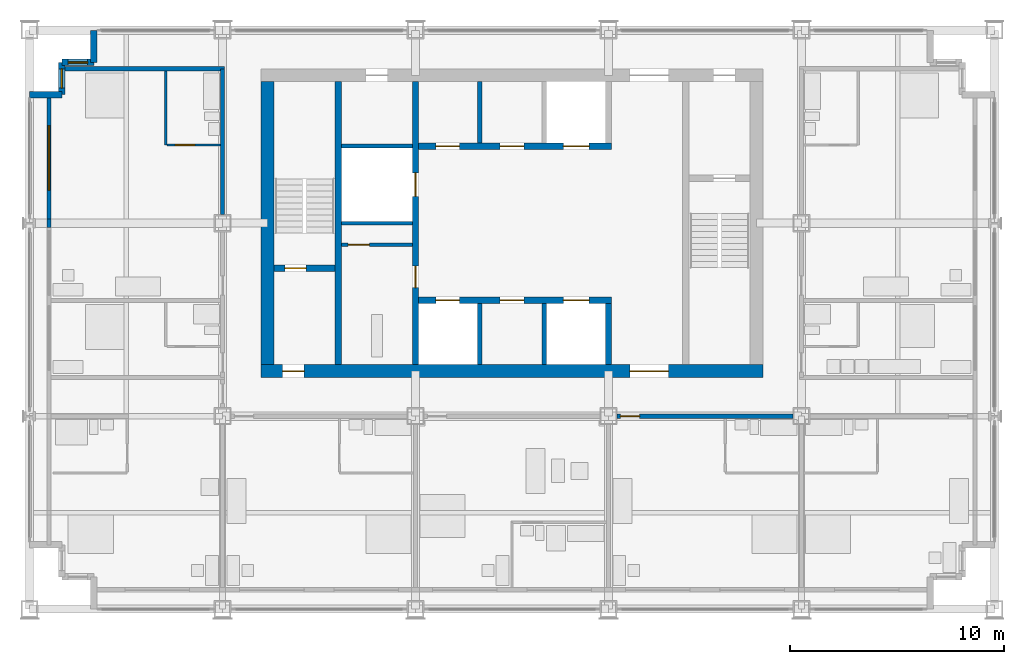
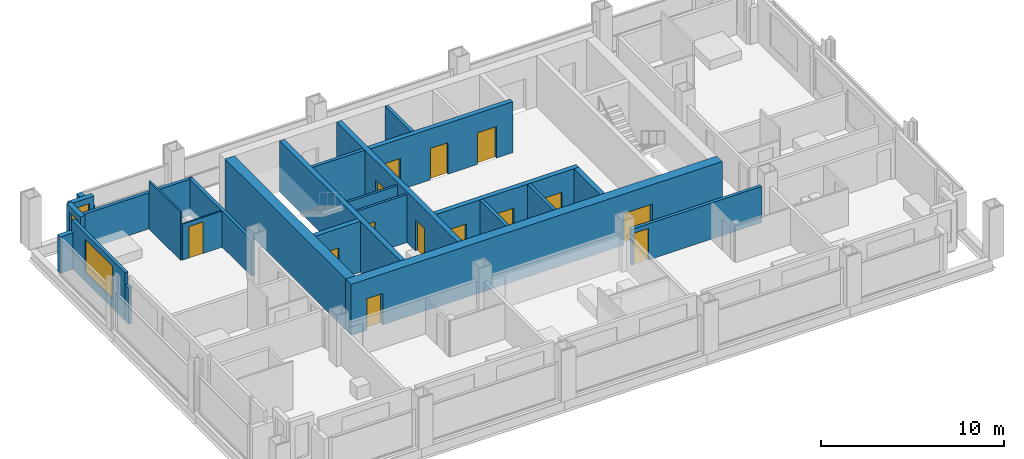
# One storey, part 8 of 13: 25 walls, 14 doors, 3 windows, 17 openings.
"""IFC4 building model written with IfcOpenShell, lengths in metres."""

import ifcopenshell
import ifcopenshell.guid

model = None  # the IFC model being written
_history = None  # IfcOwnerHistory: only IFC2X3 demands one
_inside = {}  # id of a spatial element -> (the spatial element, [elements in it])
_under = {}  # id of a project, library or spatial element -> (it, [spatial elements below it])
_declared = {}  # id of a project -> (the project, [libraries it declares])
_typed = {}  # id of a type object -> (the type object, [elements of that type])
_made_of = {}  # id of a material, layer set ... -> (it, [elements and type objects made of it])


def new_model(schema):
    """Start an empty IFC model of exactly this schema.

    Asked for "IFC4X3", IfcOpenShell would pick the latest addendum, in which some entities
    have other attributes; the version numbers below select the first issue.
    IFC2X3 requires an IfcOwnerHistory on every rooted entity: one is made here for all.
    """
    global model, _history
    if schema == "IFC4X3":
        model = ifcopenshell.file(schema_version=(4, 3, 0, 0))
    else:
        model = ifcopenshell.file(schema=schema)
    _inside.clear()
    _under.clear()
    _declared.clear()
    _typed.clear()
    _made_of.clear()
    _history = None
    if model.schema == "IFC2X3":
        org = make("IfcOrganization", Name="unknown")
        user = make(
            "IfcPersonAndOrganization",
            ThePerson=make("IfcPerson", FamilyName="unknown"),
            TheOrganization=org,
        )
        app = make(
            "IfcApplication",
            ApplicationDeveloper=org,
            Version="unknown",
            ApplicationFullName="unknown",
            ApplicationIdentifier="unknown",
        )
        _history = make(
            "IfcOwnerHistory",
            OwningUser=user,
            OwningApplication=app,
            ChangeAction="ADDED",
            CreationDate=0,
        )
    return model


def make(cls, **values):
    """One entity of the class cls with the attributes given. An attribute that is None is left unset."""
    return model.create_entity(
        cls, **{name: value for name, value in values.items() if value is not None}
    )


def rooted(cls, **values):
    """An entity with a GlobalId (a new one), such as an element, a storey or a relation."""
    return make(cls, GlobalId=ifcopenshell.guid.new(), OwnerHistory=_history, **values)


def si_unit(unit_type, name, prefix=None):
    """IfcSIUnit, for example si_unit("LENGTHUNIT", "METRE", prefix="MILLI")."""
    return make("IfcSIUnit", UnitType=unit_type, Prefix=prefix, Name=name)


def assignment(units):
    """IfcUnitAssignment: the units of a project."""
    return None if units is None else make("IfcUnitAssignment", Units=units)


def point(xyz):
    """IfcCartesianPoint."""
    return None if xyz is None else make("IfcCartesianPoint", Coordinates=xyz)


def direction(xyz):
    """IfcDirection."""
    return None if xyz is None else make("IfcDirection", DirectionRatios=xyz)


def frame(location, z_axis=None, x_axis=None):
    """IfcAxis2Placement3D, a coordinate frame: its origin and axes. An axis left out is left unset."""
    return make(
        "IfcAxis2Placement3D",
        Location=point(location),
        Axis=direction(z_axis),
        RefDirection=direction(x_axis),
    )


def frame_2d(location, x_axis=None):
    """IfcAxis2Placement2D, a coordinate frame in the plane: its origin and x axis."""
    return make(
        "IfcAxis2Placement2D", Location=point(location), RefDirection=direction(x_axis)
    )


def origin():
    """The frame at (0, 0, 0) with its axes left unset."""
    return frame((0.0, 0.0, 0.0))


def place(relative_to, where):
    """IfcLocalPlacement: puts the frame where relative to a parent placement (None: the world)."""
    return make(
        "IfcLocalPlacement", PlacementRelTo=relative_to, RelativePlacement=where
    )


def context(
    kind, dimensions, precision=None, world=None, true_north=None, identifier=None
):
    """IfcGeometricRepresentationContext, for example the 3D "Model" context."""
    return make(
        "IfcGeometricRepresentationContext",
        ContextIdentifier=identifier,
        ContextType=kind,
        CoordinateSpaceDimension=dimensions,
        Precision=precision,
        WorldCoordinateSystem=world,
        TrueNorth=true_north,
    )


def subcontext(parent, identifier, kind, view, scale=None):
    """IfcGeometricRepresentationSubContext, for example "Body" below "Model"."""
    return make(
        "IfcGeometricRepresentationSubContext",
        ContextIdentifier=identifier,
        ContextType=kind,
        ParentContext=parent,
        TargetScale=scale,
        TargetView=view,
    )


def project(units=None, contexts=None):
    """IfcProject with its units and contexts."""
    return rooted(
        "IfcProject",
        Name="project",
        RepresentationContexts=contexts,
        UnitsInContext=assignment(units),
    )


def spatial(cls, under=None, at=None, **own):
    """A site, building, storey or space (cls), placed at a placement, below another one or the project."""
    s = rooted(cls, ObjectPlacement=at, **own)
    if under is not None:
        _under.setdefault(under.id(), (under, []))[1].append(s)
    return s


def profile(cls, at=None, kind="AREA", **sizes):
    """A parametric profile (cls). Its sizes go by their IFC names, for example OverallWidth=200.0."""
    return make(cls, ProfileType=kind, Position=at, **sizes)


def rectangle(**sizes):
    """IfcRectangleProfileDef."""
    return profile("IfcRectangleProfileDef", **sizes)


def extrude(swept, where, along, depth):
    """IfcExtrudedAreaSolid: the profile swept, set in the frame where, extruded along a direction by depth."""
    return make(
        "IfcExtrudedAreaSolid",
        SweptArea=swept,
        Position=where,
        ExtrudedDirection=direction(along),
        Depth=depth,
    )


def shape(context_of_items, identifier, shape_type, items):
    """IfcShapeRepresentation: the items that make up one representation, for example the "Body"."""
    return make(
        "IfcShapeRepresentation",
        ContextOfItems=context_of_items,
        RepresentationIdentifier=identifier,
        RepresentationType=shape_type,
        Items=items,
    )


def material(Name=None, Category=None):
    """IfcMaterial."""
    return make("IfcMaterial", Name=Name, Category=Category)


def layer(
    of_material, thickness, ventilated=None, Name=None, Category=None, Priority=None
):
    """IfcMaterialLayer: one layer of a wall or slab, of a material (None: an air gap)."""
    return make(
        "IfcMaterialLayer",
        Material=of_material,
        LayerThickness=thickness,
        IsVentilated=ventilated,
        Name=Name,
        Category=Category,
        Priority=Priority,
    )


def layer_set(layers, Name=None):
    """IfcMaterialLayerSet."""
    return make("IfcMaterialLayerSet", MaterialLayers=layers, LayerSetName=Name)


def made_of(thing, what):
    """Note that an element or type object is made of a material, layer set ...; save() writes the relation."""
    if what is not None:
        _made_of.setdefault(what.id(), (what, []))[1].append(thing)
    return thing


def type_object(cls, material=None, **own):
    """A type object (cls), such as IfcWallType, which elements share."""
    return made_of(rooted(cls, **own), material)


def element(
    cls,
    number,
    at=None,
    inside=None,
    cuts=None,
    type_object=None,
    material=None,
    context=None,
    identifier="Body",
    shape_type=None,
    held_by="IfcProductDefinitionShape",
    body=None,
    shapes=None,
    **own,
):
    """One element of the class cls, such as IfcWall. Its Tag is "e" and its number.

    at: its placement. inside: the storey or other place that contains it. cuts: it is an
    opening in that element (IfcRelVoidsElement). A single representation is given by context,
    identifier, shape_type and body (its items); several are given by shapes. held_by: the class
    of the entity that holds the representations. save() writes the other relations.
    """
    e = rooted(cls, Tag="e%d" % number, ObjectPlacement=at, **own)
    if body is not None:
        shapes = [shape(context, identifier, shape_type, body)]
    if shapes is not None:
        e.Representation = make(held_by, Representations=shapes)
    if inside is not None:
        _inside.setdefault(inside.id(), (inside, []))[1].append(e)
    if cuts is not None:
        rooted(
            "IfcRelVoidsElement", RelatingBuildingElement=cuts, RelatedOpeningElement=e
        )
    if type_object is not None:
        _typed.setdefault(type_object.id(), (type_object, []))[1].append(e)
    return made_of(e, material)


def fill(opening, filler):
    """IfcRelFillsElement: the door or window that sits in an opening."""
    return rooted(
        "IfcRelFillsElement",
        RelatingOpeningElement=opening,
        RelatedBuildingElement=filler,
    )


def aggregate(whole, parts):
    """IfcRelAggregates: a whole, such as a stair, and the parts it consists of."""
    return rooted("IfcRelAggregates", RelatingObject=whole, RelatedObjects=parts)


def save(model, path):
    """Write the relations noted so far, then the file.

    IfcRelAggregates (storeys below a building ...), IfcRelContainedInSpatialStructure (elements
    in a storey), IfcRelDefinesByType, IfcRelAssociatesMaterial and IfcRelDeclares: one each for
    every whole, place, type object, material and project.
    """
    for whole, parts in _under.values():
        aggregate(whole, parts)
    for where, things in _inside.values():
        rooted(
            "IfcRelContainedInSpatialStructure",
            RelatedElements=things,
            RelatingStructure=where,
        )
    for kind, things in _typed.values():
        rooted("IfcRelDefinesByType", RelatedObjects=things, RelatingType=kind)
    for what, things in _made_of.values():
        rooted("IfcRelAssociatesMaterial", RelatedObjects=things, RelatingMaterial=what)
    for by, libraries in _declared.values():
        rooted("IfcRelDeclares", RelatingContext=by, RelatedDefinitions=libraries)
    model.write(path)


model = new_model("IFC4")

# Units and contexts
model_context = context("Model", 3, precision=1e-05, world=origin(), true_north=direction((0.0, 1.0)))
body_context = subcontext(model_context, "Body", "Model", "MODEL_VIEW")
ifc_project = project(units=[si_unit("LENGTHUNIT", "METRE"), si_unit("AREAUNIT", "SQUARE_METRE"), si_unit("VOLUMEUNIT", "CUBIC_METRE"), si_unit("PLANEANGLEUNIT", "RADIAN"), si_unit("MASSUNIT", "GRAM", prefix="KILO")], contexts=[model_context])

# Site, building, storey
site_placement = place(None, origin())
site = spatial("IfcSite", under=ifc_project, at=site_placement, CompositionType="ELEMENT")
building_placement = place(site_placement, origin())
building = spatial("IfcBuilding", under=site, at=building_placement, Name="Loomwork Tower", CompositionType="ELEMENT")
storey_placement = place(building_placement, frame((0.0, 0.0, 174.0)))
storey = spatial("IfcBuildingStorey", under=building, at=storey_placement, Name="L47", CompositionType="ELEMENT", Elevation=174.0)

# Wall
ifc_material_1 = material(Name="Concrete 14000 psi (97 MPa)", Category="concrete")
ifc_layer_1 = layer(ifc_material_1, 0.300048828125)
ifc_layer_set_1 = layer_set([ifc_layer_1], Name="Core shear wall 300")
wall_type_1 = type_object("IfcWallType", Name="Core shear wall 300", PredefinedType="SHEAR", material=ifc_layer_set_1)
wall_1_placement = place(storey_placement, frame((14.39990234375, 11.39990234375, 0.0), z_axis=(0.0, 0.0, 1.0), x_axis=(0.0, 1.0, 0.0)))
element("IfcWall", 1, at=wall_1_placement, inside=storey, type_object=wall_type_1, Name="Stair A east wall L47", PredefinedType="SHEAR", context=body_context, shape_type="SweptSolid", body=[
    extrude(rectangle(XDim=13.2001953125, YDim=0.300048828125, at=frame_2d((6.60009765625, 0.0))), origin(), (0.0, 0.0, 1.0), 3.39990234375),
])

# Wall, opening, door
wall_2_placement = place(storey_placement, frame((11.39990234375, 15.89990234375, 0.0), z_axis=(0.0, 0.0, 1.0), x_axis=(1.0, 0.0, 0.0)))
wall_2 = element("IfcWall", 2, at=wall_2_placement, inside=storey, type_object=wall_type_1, Name="Stair A south wall L47", PredefinedType="SHEAR", context=body_context, shape_type="SweptSolid", body=[
    extrude(rectangle(XDim=2.85009765625, YDim=0.300048828125, at=frame_2d((1.425048828125, 0.0))), origin(), (0.0, 0.0, 1.0), 3.39990234375),
])
opening_1_placement = place(wall_2_placement, frame((0.5, 0.0, 0.0)))
opening_1 = element("IfcOpeningElement", 3, at=opening_1_placement, cuts=wall_2, Name="Opening D4", PredefinedType="OPENING", context=body_context, shape_type="SweptSolid", body=[
    extrude(rectangle(XDim=1.0, YDim=2.10009765625, at=frame_2d((0.5, 1.050048828125))), frame((0.0, 0.159912109375, 0.0), z_axis=(0.0, -1.0, 0.0), x_axis=(1.0, 0.0, 0.0)), (0.0, 0.0, 1.0), 0.320068359375),
])
ifc_material_2 = material(Name="Hollow metal door and frame")
door_type_1 = type_object("IfcDoorType", Name="Stair door 1000", OperationType="SINGLE_SWING_RIGHT", PredefinedType="DOOR", material=ifc_material_2)
door_1_placement = place(opening_1_placement, origin())
door_1 = element("IfcDoor", 4, at=door_1_placement, inside=storey, type_object=door_type_1, Name="Stair A door", OperationType="SINGLE_SWING_LEFT", OverallHeight=2.10009765625, OverallWidth=1.0, PredefinedType="DOOR", context=body_context, shape_type="SweptSolid", body=[
    extrude(rectangle(XDim=1.0, YDim=2.10009765625, at=frame_2d((0.5, 1.050048828125))), frame((0.0, 0.02490234375, 0.0), z_axis=(0.0, -1.0, 0.0), x_axis=(1.0, 0.0, 0.0)), (0.0, 0.0, 1.0), 0.050048828125),
])
fill(opening_1, door_1)

# Wall, openings, doors
wall_3_placement = place(storey_placement, frame((18.0, 11.39990234375, 0.0), z_axis=(0.0, 0.0, 1.0), x_axis=(0.0, 1.0, 0.0)))
wall_3 = element("IfcWall", 5, at=wall_3_placement, inside=storey, type_object=wall_type_1, Name="Lobby west wall L47", PredefinedType="SHEAR", context=body_context, shape_type="SweptSolid", body=[
    extrude(rectangle(XDim=13.2001953125, YDim=0.300048828125, at=frame_2d((6.60009765625, 0.0))), origin(), (0.0, 0.0, 1.0), 3.39990234375),
])
opening_2_placement = place(wall_3_placement, frame((3.60009765625, 0.0, 0.0)))
opening_2 = element("IfcOpeningElement", 6, at=opening_2_placement, cuts=wall_3, Name="Opening D5", PredefinedType="OPENING", context=body_context, shape_type="SweptSolid", body=[
    extrude(rectangle(XDim=1.0, YDim=2.10009765625, at=frame_2d((0.5, 1.050048828125))), frame((0.0, 0.159912109375, 0.0), z_axis=(0.0, -1.0, 0.0), x_axis=(1.0, 0.0, 0.0)), (0.0, 0.0, 1.0), 0.320068359375),
])
opening_3_placement = place(wall_3_placement, frame((7.85009765625, 0.0, 0.0)))
opening_3 = element("IfcOpeningElement", 7, at=opening_3_placement, cuts=wall_3, Name="Opening LD1", PredefinedType="OPENING", context=body_context, shape_type="SweptSolid", body=[
    extrude(rectangle(XDim=1.10009765625, YDim=2.10009765625, at=frame_2d((0.550048828125, 1.050048828125))), frame((0.0, 0.159912109375, 0.0), z_axis=(0.0, -1.0, 0.0), x_axis=(1.0, 0.0, 0.0)), (0.0, 0.0, 1.0), 0.320068359375),
])
ifc_material_3 = material(Name="Hollow metal door and frame")
door_type_2 = type_object("IfcDoorType", Name="Lift landing door 1100", OperationType="SLIDING_TO_LEFT", PredefinedType="DOOR", material=ifc_material_3)
door_2_placement = place(opening_3_placement, origin())
door_2 = element("IfcDoor", 8, at=door_2_placement, inside=storey, type_object=door_type_2, Name="Lift landing door LC2", OperationType="SLIDING_TO_LEFT", OverallHeight=2.10009765625, OverallWidth=1.10009765625, PredefinedType="DOOR", context=body_context, shape_type="SweptSolid", body=[
    extrude(rectangle(XDim=1.10009765625, YDim=2.10009765625, at=frame_2d((0.550048828125, 1.050048828125))), frame((0.0, 0.02490234375, 0.0), z_axis=(0.0, -1.0, 0.0), x_axis=(1.0, 0.0, 0.0)), (0.0, 0.0, 1.0), 0.050048828125),
])
fill(opening_3, door_2)
ifc_material_4 = material(Name="Hollow metal door and frame")
door_type_3 = type_object("IfcDoorType", Name="Service door 1000", OperationType="SINGLE_SWING_LEFT", PredefinedType="DOOR", material=ifc_material_4)
door_3_placement = place(opening_2_placement, origin())
door_3 = element("IfcDoor", 9, at=door_3_placement, inside=storey, type_object=door_type_3, Name="Back-of-house door south", OperationType="SINGLE_SWING_LEFT", OverallHeight=2.10009765625, OverallWidth=1.0, PredefinedType="DOOR", context=body_context, shape_type="SweptSolid", body=[
    extrude(rectangle(XDim=1.0, YDim=2.10009765625, at=frame_2d((0.5, 1.050048828125))), frame((0.0, 0.02490234375, 0.0), z_axis=(0.0, -1.0, 0.0), x_axis=(1.0, 0.0, 0.0)), (0.0, 0.0, 1.0), 0.050048828125),
])
fill(opening_2, door_3)

wall_4_placement = place(storey_placement, frame((18.14990234375, 14.39990234375, 0.0), z_axis=(0.0, 0.0, 1.0), x_axis=(1.0, 0.0, 0.0)))
wall_4 = element("IfcWall", 10, at=wall_4_placement, inside=storey, type_object=wall_type_1, Name="Lift front wall south L47", PredefinedType="SHEAR", context=body_context, shape_type="SweptSolid", body=[
    extrude(rectangle(XDim=9.0, YDim=0.300048828125, at=frame_2d((4.5, 0.0))), origin(), (0.0, 0.0, 1.0), 3.39990234375),
])
opening_4_placement = place(wall_4_placement, frame((0.800048828125, 0.0, 0.0)))
opening_4 = element("IfcOpeningElement", 11, at=opening_4_placement, cuts=wall_4, Name="Opening LD1", PredefinedType="OPENING", context=body_context, shape_type="SweptSolid", body=[
    extrude(rectangle(XDim=1.10009765625, YDim=2.10009765625, at=frame_2d((0.550048828125, 1.050048828125))), frame((0.0, 0.159912109375, 0.0), z_axis=(0.0, -1.0, 0.0), x_axis=(1.0, 0.0, 0.0)), (0.0, 0.0, 1.0), 0.320068359375),
])
opening_5_placement = place(wall_4_placement, frame((6.75, 0.0, 0.0)))
opening_5 = element("IfcOpeningElement", 12, at=opening_5_placement, cuts=wall_4, Name="Opening LD2", PredefinedType="OPENING", context=body_context, shape_type="SweptSolid", body=[
    extrude(rectangle(XDim=1.199951171875, YDim=2.10009765625, at=frame_2d((0.60009765625, 1.050048828125))), frame((0.0, 0.159912109375, 0.0), z_axis=(0.0, -1.0, 0.0), x_axis=(1.0, 0.0, 0.0)), (0.0, 0.0, 1.0), 0.320068359375),
])
opening_6_placement = place(wall_4_placement, frame((3.800048828125, 0.0, 0.0)))
opening_6 = element("IfcOpeningElement", 13, at=opening_6_placement, cuts=wall_4, Name="Opening D17", PredefinedType="OPENING", context=body_context, shape_type="SweptSolid", body=[
    extrude(rectangle(XDim=1.10009765625, YDim=2.10009765625, at=frame_2d((0.550048828125, 1.050048828125))), frame((0.0, 0.159912109375, 0.0), z_axis=(0.0, -1.0, 0.0), x_axis=(1.0, 0.0, 0.0)), (0.0, 0.0, 1.0), 0.320068359375),
])
door_4_placement = place(opening_4_placement, origin())
door_4 = element("IfcDoor", 14, at=door_4_placement, inside=storey, type_object=door_type_2, Name="Lift landing door LC1", OperationType="SLIDING_TO_LEFT", OverallHeight=2.10009765625, OverallWidth=1.10009765625, PredefinedType="DOOR", context=body_context, shape_type="SweptSolid", body=[
    extrude(rectangle(XDim=1.10009765625, YDim=2.10009765625, at=frame_2d((0.550048828125, 1.050048828125))), frame((0.0, 0.02490234375, 0.0), z_axis=(0.0, -1.0, 0.0), x_axis=(1.0, 0.0, 0.0)), (0.0, 0.0, 1.0), 0.050048828125),
])
fill(opening_4, door_4)
ifc_material_5 = material(Name="Hollow metal door and frame")
door_type_4 = type_object("IfcDoorType", Name="Lift landing door 1200", OperationType="SLIDING_TO_LEFT", PredefinedType="DOOR", material=ifc_material_5)
door_5_placement = place(opening_5_placement, origin())
door_5 = element("IfcDoor", 15, at=door_5_placement, inside=storey, type_object=door_type_4, Name="Lift landing door LF1", OperationType="SLIDING_TO_LEFT", OverallHeight=2.10009765625, OverallWidth=1.199951171875, PredefinedType="DOOR", context=body_context, shape_type="SweptSolid", body=[
    extrude(rectangle(XDim=1.199951171875, YDim=2.10009765625, at=frame_2d((0.60009765625, 1.050048828125))), frame((0.0, 0.02490234375, 0.0), z_axis=(0.0, -1.0, 0.0), x_axis=(1.0, 0.0, 0.0)), (0.0, 0.0, 1.0), 0.050048828125),
])
fill(opening_5, door_5)
ifc_material_6 = material(Name="Hollow metal door and frame")
door_type_5 = type_object("IfcDoorType", Name="Service room door 1100", OperationType="SINGLE_SWING_LEFT", PredefinedType="DOOR", material=ifc_material_6)
door_6_placement = place(opening_6_placement, frame((1.10009765625, 0.0, 0.0), z_axis=(0.0, 0.0, 1.0), x_axis=(-1.0, 0.0, 0.0)))
door_6 = element("IfcDoor", 16, at=door_6_placement, inside=storey, type_object=door_type_5, Name="Storage room door L47", OperationType="SINGLE_SWING_RIGHT", OverallHeight=2.10009765625, OverallWidth=1.10009765625, PredefinedType="DOOR", context=body_context, shape_type="SweptSolid", body=[
    extrude(rectangle(XDim=1.10009765625, YDim=2.10009765625, at=frame_2d((0.550048828125, 1.050048828125))), frame((0.0, 0.02490234375, 0.0), z_axis=(0.0, -1.0, 0.0), x_axis=(1.0, 0.0, 0.0)), (0.0, 0.0, 1.0), 0.050048828125),
])
fill(opening_6, door_6)

# Wall
wall_5_placement = place(storey_placement, frame((27.0, 11.39990234375, 0.0), z_axis=(0.0, 0.0, 1.0), x_axis=(0.0, 1.0, 0.0)))
element("IfcWall", 17, at=wall_5_placement, inside=storey, type_object=wall_type_1, Name="Lift shaft end wall south L47", PredefinedType="SHEAR", context=body_context, shape_type="SweptSolid", body=[
    extrude(rectangle(XDim=2.85009765625, YDim=0.300048828125, at=frame_2d((1.425048828125, 0.0))), origin(), (0.0, 0.0, 1.0), 3.39990234375),
])

# Wall, openings, doors
wall_6_placement = place(storey_placement, frame((18.14990234375, 21.60009765625, 0.0), z_axis=(0.0, 0.0, 1.0), x_axis=(1.0, 0.0, 0.0)))
wall_6 = element("IfcWall", 18, at=wall_6_placement, inside=storey, type_object=wall_type_1, Name="Lift front wall north L47", PredefinedType="SHEAR", context=body_context, shape_type="SweptSolid", body=[
    extrude(rectangle(XDim=9.0, YDim=0.300048828125, at=frame_2d((4.5, 0.0))), origin(), (0.0, 0.0, 1.0), 3.39990234375),
])
opening_7_placement = place(wall_6_placement, frame((6.75, 0.0, 0.0)))
opening_7 = element("IfcOpeningElement", 19, at=opening_7_placement, cuts=wall_6, Name="Opening LD2", PredefinedType="OPENING", context=body_context, shape_type="SweptSolid", body=[
    extrude(rectangle(XDim=1.199951171875, YDim=2.10009765625, at=frame_2d((0.60009765625, 1.050048828125))), frame((0.0, 0.159912109375, 0.0), z_axis=(0.0, -1.0, 0.0), x_axis=(1.0, 0.0, 0.0)), (0.0, 0.0, 1.0), 0.320068359375),
])
opening_8_placement = place(wall_6_placement, frame((0.800048828125, 0.0, 0.0)))
opening_8 = element("IfcOpeningElement", 20, at=opening_8_placement, cuts=wall_6, Name="Opening D17", PredefinedType="OPENING", context=body_context, shape_type="SweptSolid", body=[
    extrude(rectangle(XDim=1.10009765625, YDim=2.10009765625, at=frame_2d((0.550048828125, 1.050048828125))), frame((0.0, 0.159912109375, 0.0), z_axis=(0.0, -1.0, 0.0), x_axis=(1.0, 0.0, 0.0)), (0.0, 0.0, 1.0), 0.320068359375),
])
opening_9_placement = place(wall_6_placement, frame((3.800048828125, 0.0, 0.0)))
opening_9 = element("IfcOpeningElement", 21, at=opening_9_placement, cuts=wall_6, Name="Opening D17", PredefinedType="OPENING", context=body_context, shape_type="SweptSolid", body=[
    extrude(rectangle(XDim=1.10009765625, YDim=2.10009765625, at=frame_2d((0.550048828125, 1.050048828125))), frame((0.0, 0.159912109375, 0.0), z_axis=(0.0, -1.0, 0.0), x_axis=(1.0, 0.0, 0.0)), (0.0, 0.0, 1.0), 0.320068359375),
])
door_7_placement = place(opening_7_placement, origin())
door_7 = element("IfcDoor", 22, at=door_7_placement, inside=storey, type_object=door_type_4, Name="Lift landing door LF2", OperationType="SLIDING_TO_LEFT", OverallHeight=2.10009765625, OverallWidth=1.199951171875, PredefinedType="DOOR", context=body_context, shape_type="SweptSolid", body=[
    extrude(rectangle(XDim=1.199951171875, YDim=2.10009765625, at=frame_2d((0.60009765625, 1.050048828125))), frame((0.0, 0.02490234375, 0.0), z_axis=(0.0, -1.0, 0.0), x_axis=(1.0, 0.0, 0.0)), (0.0, 0.0, 1.0), 0.050048828125),
])
fill(opening_7, door_7)
door_8_placement = place(opening_8_placement, origin())
door_8 = element("IfcDoor", 23, at=door_8_placement, inside=storey, type_object=door_type_5, Name="IT and communications room door L47", OperationType="SINGLE_SWING_LEFT", OverallHeight=2.10009765625, OverallWidth=1.10009765625, PredefinedType="DOOR", context=body_context, shape_type="SweptSolid", body=[
    extrude(rectangle(XDim=1.10009765625, YDim=2.10009765625, at=frame_2d((0.550048828125, 1.050048828125))), frame((0.0, 0.02490234375, 0.0), z_axis=(0.0, -1.0, 0.0), x_axis=(1.0, 0.0, 0.0)), (0.0, 0.0, 1.0), 0.050048828125),
])
fill(opening_8, door_8)
door_9_placement = place(opening_9_placement, origin())
door_9 = element("IfcDoor", 24, at=door_9_placement, inside=storey, type_object=door_type_5, Name="Housekeeping store door L47", OperationType="SINGLE_SWING_LEFT", OverallHeight=2.10009765625, OverallWidth=1.10009765625, PredefinedType="DOOR", context=body_context, shape_type="SweptSolid", body=[
    extrude(rectangle(XDim=1.10009765625, YDim=2.10009765625, at=frame_2d((0.550048828125, 1.050048828125))), frame((0.0, 0.02490234375, 0.0), z_axis=(0.0, -1.0, 0.0), x_axis=(1.0, 0.0, 0.0)), (0.0, 0.0, 1.0), 0.050048828125),
])
fill(opening_9, door_9)

ifc_material_7 = material(Name="Concrete 14000 psi (97 MPa)", Category="concrete")
ifc_layer_2 = layer(ifc_material_7, 0.60009765625)
ifc_layer_set_2 = layer_set([ifc_layer_2], Name="Core shear wall 600")
wall_type_2 = type_object("IfcWallType", Name="Core shear wall 600", PredefinedType="SHEAR", material=ifc_layer_set_2)
wall_7_placement = place(storey_placement, frame((10.800048828125, 11.10009765625, 0.0), z_axis=(0.0, 0.0, 1.0), x_axis=(1.0, 0.0, 0.0)))
wall_7 = element("IfcWall", 25, at=wall_7_placement, inside=storey, type_object=wall_type_2, Name="Core wall south L47", PredefinedType="SHEAR", context=body_context, shape_type="SweptSolid", body=[
    extrude(rectangle(XDim=23.39990234375, YDim=0.60009765625, at=frame_2d((11.699951171875, 0.0))), origin(), (0.0, 0.0, 1.0), 3.39990234375),
])
opening_10_placement = place(wall_7_placement, frame((1.0, 0.0, 0.0)))
opening_10 = element("IfcOpeningElement", 26, at=opening_10_placement, cuts=wall_7, Name="Opening D4", PredefinedType="OPENING", context=body_context, shape_type="SweptSolid", body=[
    extrude(rectangle(XDim=1.0, YDim=2.10009765625, at=frame_2d((0.5, 1.050048828125))), frame((0.0, 0.31005859375, 0.0), z_axis=(0.0, -1.0, 0.0), x_axis=(1.0, 0.0, 0.0)), (0.0, 0.0, 1.0), 0.6201171875),
])
opening_11_placement = place(wall_7_placement, frame((17.199951171875, 0.0, 0.0)))
opening_11 = element("IfcOpeningElement", 27, at=opening_11_placement, cuts=wall_7, Name="Opening D6", PredefinedType="OPENING", context=body_context, shape_type="SweptSolid", body=[
    extrude(rectangle(XDim=1.800048828125, YDim=2.10009765625, at=frame_2d((0.89990234375, 1.050048828125))), frame((0.0, 0.31005859375, 0.0), z_axis=(0.0, -1.0, 0.0), x_axis=(1.0, 0.0, 0.0)), (0.0, 0.0, 1.0), 0.6201171875),
])
ifc_material_8 = material(Name="Hollow metal door and frame")
door_type_6 = type_object("IfcDoorType", Name="Lobby passage double door 1800", OperationType="DOUBLE_DOOR_SINGLE_SWING", PredefinedType="DOOR", material=ifc_material_8)
door_10_placement = place(opening_11_placement, origin())
door_10 = element("IfcDoor", 28, at=door_10_placement, inside=storey, type_object=door_type_6, Name="Lobby passage door south", OperationType="DOUBLE_DOOR_SINGLE_SWING", OverallHeight=2.10009765625, OverallWidth=1.800048828125, PredefinedType="DOOR", context=body_context, shape_type="SweptSolid", body=[
    extrude(rectangle(XDim=1.800048828125, YDim=2.10009765625, at=frame_2d((0.89990234375, 1.050048828125))), frame((0.0, 0.02490234375, 0.0), z_axis=(0.0, -1.0, 0.0), x_axis=(1.0, 0.0, 0.0)), (0.0, 0.0, 1.0), 0.050048828125),
])
fill(opening_11, door_10)
door_11_placement = place(opening_10_placement, origin())
door_11 = element("IfcDoor", 29, at=door_11_placement, inside=storey, type_object=door_type_1, Name="Stair A vestibule door", OperationType="SINGLE_SWING_LEFT", OverallHeight=2.10009765625, OverallWidth=1.0, PredefinedType="DOOR", context=body_context, shape_type="SweptSolid", body=[
    extrude(rectangle(XDim=1.0, YDim=2.10009765625, at=frame_2d((0.5, 1.050048828125))), frame((0.0, 0.02490234375, 0.0), z_axis=(0.0, -1.0, 0.0), x_axis=(1.0, 0.0, 0.0)), (0.0, 0.0, 1.0), 0.050048828125),
])
fill(opening_10, door_11)

# Wall
wall_8_placement = place(storey_placement, frame((11.10009765625, 11.39990234375, 0.0), z_axis=(0.0, 0.0, 1.0), x_axis=(0.0, 1.0, 0.0)))
element("IfcWall", 30, at=wall_8_placement, inside=storey, type_object=wall_type_2, Name="Core wall west L47", PredefinedType="SHEAR", context=body_context, shape_type="SweptSolid", body=[
    extrude(rectangle(XDim=13.2001953125, YDim=0.60009765625, at=frame_2d((6.60009765625, 0.0))), origin(), (0.0, 0.0, 1.0), 3.39990234375),
])

# Wall, opening, door
ifc_material_9 = material(Name="Gypsum board on steel studs, one-hour", Category="steel")
ifc_layer_3 = layer(ifc_material_9, 0.199951171875)
ifc_layer_set_3 = layer_set([ifc_layer_3], Name="Corridor wall 200")
wall_type_3 = type_object("IfcWallType", Name="Corridor wall 200", PredefinedType="PARTITIONING", material=ifc_layer_set_3)
wall_9_placement = place(storey_placement, frame((27.39990234375, 9.0, 0.0), z_axis=(0.0, 0.0, 1.0), x_axis=(1.0, 0.0, 0.0)))
wall_9 = element("IfcWall", 31, at=wall_9_placement, inside=storey, type_object=wall_type_3, Name="South corridor wall 4", PredefinedType="PARTITIONING", context=body_context, shape_type="SweptSolid", body=[
    extrude(rectangle(XDim=8.2001953125, YDim=0.199951171875, at=frame_2d((4.10009765625, 0.0))), origin(), (0.0, 0.0, 1.0), 2.405029296875),
])
opening_12_placement = place(wall_9_placement, frame((0.14990234375, 0.0, 0.0)))
opening_12 = element("IfcOpeningElement", 32, at=opening_12_placement, cuts=wall_9, Name="Opening D1", PredefinedType="OPENING", context=body_context, shape_type="SweptSolid", body=[
    extrude(rectangle(XDim=0.89990234375, YDim=2.10009765625, at=frame_2d((0.449951171875, 1.050048828125))), frame((0.0, 0.10986328125, 0.0), z_axis=(0.0, -1.0, 0.0), x_axis=(1.0, 0.0, 0.0)), (0.0, 0.0, 1.0), 0.219970703125),
])
ifc_material_10 = material(Name="Hollow metal door and frame")
door_type_7 = type_object("IfcDoorType", Name="Guest room entry door 900", OperationType="SINGLE_SWING_LEFT", PredefinedType="DOOR", material=ifc_material_10)
door_12_placement = place(opening_12_placement, frame((0.89990234375, 0.0, 0.0), z_axis=(0.0, 0.0, 1.0), x_axis=(-1.0, 0.0, 0.0)))
door_12 = element("IfcDoor", 33, at=door_12_placement, inside=storey, type_object=door_type_7, Name="Guest room entry door L47 4", OperationType="SINGLE_SWING_RIGHT", OverallHeight=2.10009765625, OverallWidth=0.89990234375, PredefinedType="DOOR", context=body_context, shape_type="SweptSolid", body=[
    extrude(rectangle(XDim=0.89990234375, YDim=2.10009765625, at=frame_2d((0.449951171875, 1.050048828125))), frame((0.0, 0.02490234375, 0.0), z_axis=(0.0, -1.0, 0.0), x_axis=(1.0, 0.0, 0.0)), (0.0, 0.0, 1.0), 0.050048828125),
])
fill(opening_12, door_12)

# Walls
wall_10_placement = place(storey_placement, frame((9.0, 18.39990234375, 0.0), z_axis=(0.0, 0.0, 1.0), x_axis=(0.0, 1.0, 0.0)))
element("IfcWall", 34, at=wall_10_placement, inside=storey, type_object=wall_type_3, Name="West corridor wall 2", PredefinedType="PARTITIONING", context=body_context, shape_type="SweptSolid", body=[
    extrude(rectangle(XDim=6.800048828125, YDim=0.199951171875, at=frame_2d((3.39990234375, 0.0))), origin(), (0.0, 0.0, 1.0), 2.405029296875),
])
wall_11_placement = place(storey_placement, frame((1.64990234375, 25.199951171875, 0.0), z_axis=(0.0, 0.0, 1.0), x_axis=(1.0, 0.0, 0.0)))
element("IfcWall", 35, at=wall_11_placement, inside=storey, type_object=wall_type_3, Name="West band end wall N", PredefinedType="PARTITIONING", context=body_context, shape_type="SweptSolid", body=[
    extrude(rectangle(XDim=7.4501953125, YDim=0.199951171875, at=frame_2d((3.72509765625, 0.0))), origin(), (0.0, 0.0, 1.0), 2.404052734375),
])
ifc_material_11 = material(Name="Cement board on steel studs", Category="steel")
ifc_layer_4 = layer(ifc_material_11, 0.10009765625)
ifc_layer_set_4 = layer_set([ifc_layer_4], Name="En-suite partition 100")
wall_type_4 = type_object("IfcWallType", Name="En-suite partition 100", PredefinedType="PARTITIONING", material=ifc_layer_set_4)
wall_12_placement = place(storey_placement, frame((6.35009765625, 21.64990234375, 0.0), z_axis=(0.0, 0.0, 1.0), x_axis=(0.0, 1.0, 0.0)))
element("IfcWall", 36, at=wall_12_placement, inside=storey, type_object=wall_type_4, Name="En-suite wall L47 room 7", PredefinedType="PARTITIONING", context=body_context, shape_type="SweptSolid", body=[
    extrude(rectangle(XDim=3.4501953125, YDim=0.10009765625, at=frame_2d((1.72509765625, 0.0))), origin(), (0.0, 0.0, 1.0), 3.199951171875),
])

# Wall, opening, door
wall_13_placement = place(storey_placement, frame((8.89990234375, 21.64990234375, 0.0), z_axis=(0.0, 0.0, 1.0), x_axis=(-1.0, 0.0, 0.0)))
wall_13 = element("IfcWall", 37, at=wall_13_placement, inside=storey, type_object=wall_type_4, Name="En-suite side wall L47 room 7", PredefinedType="PARTITIONING", context=body_context, shape_type="SweptSolid", body=[
    extrude(rectangle(XDim=2.5, YDim=0.10009765625, at=frame_2d((1.25, 0.0))), origin(), (0.0, 0.0, 1.0), 2.404052734375),
])
opening_13_placement = place(wall_13_placement, frame((1.199951171875, 0.0, 0.0)))
opening_13 = element("IfcOpeningElement", 38, at=opening_13_placement, cuts=wall_13, Name="Opening D2", PredefinedType="OPENING", context=body_context, shape_type="SweptSolid", body=[
    extrude(rectangle(XDim=0.89990234375, YDim=2.10009765625, at=frame_2d((0.449951171875, 1.050048828125))), frame((0.0, 0.06005859375, 0.0), z_axis=(0.0, -1.0, 0.0), x_axis=(1.0, 0.0, 0.0)), (0.0, 0.0, 1.0), 0.1201171875),
])
ifc_material_12 = material(Name="Hollow metal door and frame")
door_type_8 = type_object("IfcDoorType", Name="En-suite door 900", OperationType="SINGLE_SWING_LEFT", PredefinedType="DOOR", material=ifc_material_12)
door_13_placement = place(opening_13_placement, frame((0.89990234375, 0.0, 0.0), z_axis=(0.0, 0.0, 1.0), x_axis=(-1.0, 0.0, 0.0)))
door_13 = element("IfcDoor", 39, at=door_13_placement, inside=storey, type_object=door_type_8, Name="En-suite door room 7", OperationType="SINGLE_SWING_LEFT", OverallHeight=2.10009765625, OverallWidth=0.89990234375, PredefinedType="DOOR", context=body_context, shape_type="SweptSolid", body=[
    extrude(rectangle(XDim=0.89990234375, YDim=2.10009765625, at=frame_2d((0.449951171875, 1.050048828125))), frame((0.0, 0.02490234375, 0.0), z_axis=(0.0, -1.0, 0.0), x_axis=(1.0, 0.0, 0.0)), (0.0, 0.0, 1.0), 0.050048828125),
])
fill(opening_13, door_13)

# Wall
ifc_material_13 = material(Name="Insulated steel stud wall with gypsum lining", Category="steel")
ifc_layer_5 = layer(ifc_material_13, 0.199951171875)
ifc_layer_set_5 = layer_set([ifc_layer_5], Name="Inner skin wall 200")
wall_type_5 = type_object("IfcWallType", Name="Inner skin wall 200", PredefinedType="SOLIDWALL", material=ifc_layer_set_5)
wall_14_placement = place(storey_placement, frame((0.89990234375, 17.80615234375, 0.0), z_axis=(0.0, 0.0, 1.0), x_axis=(0.0, 1.0, 0.0)))
element("IfcWall", 40, at=wall_14_placement, inside=storey, type_object=wall_type_5, Name="Inner skin wall W bay 6", PredefinedType="SOLIDWALL", context=body_context, shape_type="SweptSolid", body=[
    extrude(rectangle(XDim=0.3876953125, YDim=0.199951171875, at=frame_2d((0.19384765625, 0.0))), origin(), (0.0, 0.0, 1.0), 2.404052734375),
])

# Wall, opening, window
wall_15_placement = place(storey_placement, frame((0.89990234375, 18.19384765625, 0.0), z_axis=(0.0, 0.0, 1.0), x_axis=(0.0, 1.0, 0.0)))
wall_15 = element("IfcWall", 41, at=wall_15_placement, inside=storey, type_object=wall_type_5, Name="Inner skin wall W bay 7", PredefinedType="SOLIDWALL", context=body_context, shape_type="SweptSolid", body=[
    extrude(rectangle(XDim=5.80615234375, YDim=0.199951171875, at=frame_2d((2.903076171875, 0.0))), origin(), (0.0, 0.0, 1.0), 3.199951171875),
])
opening_14_placement = place(wall_15_placement, frame((1.356201171875, 0.0, 0.60009765625)))
opening_14 = element("IfcOpeningElement", 42, at=opening_14_placement, cuts=wall_15, Name="Opening CH1", PredefinedType="OPENING", context=body_context, shape_type="SweptSolid", body=[
    extrude(rectangle(XDim=3.0, YDim=2.199951171875, at=frame_2d((1.5, 1.10009765625))), frame((0.0, 0.10986328125, 0.0), z_axis=(0.0, -1.0, 0.0), x_axis=(1.0, 0.0, 0.0)), (0.0, 0.0, 1.0), 0.219970703125),
])
ifc_material_14 = material(Name="Aluminium frame with clear insulated glass", Category="aluminium")
window_type_1 = type_object("IfcWindowType", Name="Chicago window 3000", PartitioningType="TRIPLE_PANEL_VERTICAL", PredefinedType="WINDOW", material=ifc_material_14)
window_1_placement = place(opening_14_placement, origin())
window_1 = element("IfcWindow", 43, at=window_1_placement, inside=storey, type_object=window_type_1, Name="Chicago window L47 bay 7", OverallHeight=2.199951171875, OverallWidth=3.0, PartitioningType="TRIPLE_PANEL_VERTICAL", PredefinedType="WINDOW", context=body_context, shape_type="SweptSolid", body=[
    extrude(rectangle(XDim=3.0, YDim=2.199951171875, at=frame_2d((1.5, 1.10009765625))), frame((0.0, 0.030029296875, 0.0), z_axis=(0.0, -1.0, 0.0), x_axis=(1.0, 0.0, 0.0)), (0.0, 0.0, 1.0), 0.06005859375),
])
fill(opening_14, window_1)

# Walls
ifc_material_15 = material(Name="Concrete 14000 psi (97 MPa)", Category="concrete")
ifc_layer_6 = layer(ifc_material_15, 0.199951171875)
ifc_layer_set_6 = layer_set([ifc_layer_6], Name="Lift shaft wall 200")
wall_type_6 = type_object("IfcWallType", Name="Lift shaft wall 200", PredefinedType="SHEAR", material=ifc_layer_set_6)
for number, where, z_axis, x_axis, name in (
    (44, (21.0, 11.39990234375, 0.0), (0.0, 0.0, 1.0), (0.0, 1.0, 0.0), "Lift shaft separation wall south 1 L47"),
    (45, (24.0, 11.39990234375, 0.0), (0.0, 0.0, 1.0), (0.0, 1.0, 0.0), "Lift shaft separation wall south 2 L47"),
    (46, (21.0, 21.75, 0.0), (0.0, 0.0, 1.0), (0.0, 1.0, 0.0), "Lift shaft separation wall north 1 L47"),
):
    element("IfcWall", number, at=place(storey_placement, frame(where, z_axis=z_axis, x_axis=x_axis)), inside=storey, type_object=wall_type_6, Name=name, PredefinedType="SHEAR", context=body_context, shape_type="SweptSolid", body=[
        extrude(rectangle(XDim=2.85009765625, YDim=0.199951171875, at=frame_2d((1.425048828125, 0.0))), origin(), (0.0, 0.0, 1.0), 3.39990234375),
    ])
wall_16_placement = place(storey_placement, frame((14.550048828125, 21.60009765625, 0.0), z_axis=(0.0, 0.0, 1.0), x_axis=(1.0, 0.0, 0.0)))
element("IfcWall", 47, at=wall_16_placement, inside=storey, type_object=wall_type_6, Name="Lift shaft wall west north L47", PredefinedType="SHEAR", context=body_context, shape_type="SweptSolid", body=[
    extrude(rectangle(XDim=3.300048828125, YDim=0.199951171875, at=frame_2d((1.64990234375, 0.0))), origin(), (0.0, 0.0, 1.0), 3.39990234375),
])
ifc_material_16 = material(Name="Limestone on concrete masonry", Category="masonry")
ifc_layer_7 = layer(ifc_material_16, 0.300048828125)
ifc_layer_set_7 = layer_set([ifc_layer_7], Name="Limestone corner wall 300")
wall_type_7 = type_object("IfcWallType", Name="Limestone corner wall 300", PredefinedType="SOLIDWALL", material=ifc_layer_set_7)
wall_17_placement = place(storey_placement, frame((3.0, 27.0, 0.0), z_axis=(0.0, 0.0, 1.0), x_axis=(0.0, -1.0, 0.0)))
element("IfcWall", 48, at=wall_17_placement, inside=storey, type_object=wall_type_7, Name="Stone corner wall NW 1", PredefinedType="SOLIDWALL", context=body_context, shape_type="SweptSolid", body=[
    extrude(rectangle(XDim=1.5, YDim=0.300048828125, at=frame_2d((0.75, 0.0))), origin(), (0.0, 0.0, 1.0), 2.419921875),
])

# Wall, opening, window
wall_18_placement = place(storey_placement, frame((3.0, 25.5, 0.0), z_axis=(0.0, 0.0, 1.0), x_axis=(-1.0, 0.0, 0.0)))
wall_18 = element("IfcWall", 49, at=wall_18_placement, inside=storey, type_object=wall_type_7, Name="Stone corner wall NW 2", PredefinedType="SOLIDWALL", context=body_context, shape_type="SweptSolid", body=[
    extrude(rectangle(XDim=1.5, YDim=0.300048828125, at=frame_2d((0.75, 0.0))), origin(), (0.0, 0.0, 1.0), 3.199951171875),
])
opening_15_placement = place(wall_18_placement, frame((0.300048828125, 0.0, 0.60009765625)))
opening_15 = element("IfcOpeningElement", 50, at=opening_15_placement, cuts=wall_18, Name="Opening CH2", PredefinedType="OPENING", context=body_context, shape_type="SweptSolid", body=[
    extrude(rectangle(XDim=0.89990234375, YDim=2.199951171875, at=frame_2d((0.449951171875, 1.10009765625))), frame((0.0, 0.159912109375, 0.0), z_axis=(0.0, -1.0, 0.0), x_axis=(1.0, 0.0, 0.0)), (0.0, 0.0, 1.0), 0.320068359375),
])
ifc_material_17 = material(Name="Aluminium frame with clear insulated glass", Category="aluminium")
window_type_2 = type_object("IfcWindowType", Name="Corner window 900", PartitioningType="SINGLE_PANEL", PredefinedType="WINDOW", material=ifc_material_17)
window_2_placement = place(opening_15_placement, origin())
window_2 = element("IfcWindow", 51, at=window_2_placement, inside=storey, type_object=window_type_2, Name="Corner window NW", OverallHeight=2.199951171875, OverallWidth=0.89990234375, PartitioningType="SINGLE_PANEL", PredefinedType="WINDOW", context=body_context, shape_type="SweptSolid", body=[
    extrude(rectangle(XDim=0.89990234375, YDim=2.199951171875, at=frame_2d((0.449951171875, 1.10009765625))), frame((0.0, 0.030029296875, 0.0), z_axis=(0.0, -1.0, 0.0), x_axis=(1.0, 0.0, 0.0)), (0.0, 0.0, 1.0), 0.06005859375),
])
fill(opening_15, window_2)

wall_19_placement = place(storey_placement, frame((1.5, 25.5, 0.0), z_axis=(0.0, 0.0, 1.0), x_axis=(0.0, -1.0, 0.0)))
wall_19 = element("IfcWall", 52, at=wall_19_placement, inside=storey, type_object=wall_type_7, Name="Stone corner wall NW 3", PredefinedType="SOLIDWALL", context=body_context, shape_type="SweptSolid", body=[
    extrude(rectangle(XDim=1.5, YDim=0.300048828125, at=frame_2d((0.75, 0.0))), origin(), (0.0, 0.0, 1.0), 3.199951171875),
])
opening_16_placement = place(wall_19_placement, frame((0.300048828125, 0.0, 0.60009765625)))
opening_16 = element("IfcOpeningElement", 53, at=opening_16_placement, cuts=wall_19, Name="Opening CH2", PredefinedType="OPENING", context=body_context, shape_type="SweptSolid", body=[
    extrude(rectangle(XDim=0.89990234375, YDim=2.199951171875, at=frame_2d((0.449951171875, 1.10009765625))), frame((0.0, 0.159912109375, 0.0), z_axis=(0.0, -1.0, 0.0), x_axis=(1.0, 0.0, 0.0)), (0.0, 0.0, 1.0), 0.320068359375),
])
window_3_placement = place(opening_16_placement, origin())
window_3 = element("IfcWindow", 54, at=window_3_placement, inside=storey, type_object=window_type_2, Name="Corner window NW", OverallHeight=2.199951171875, OverallWidth=0.89990234375, PartitioningType="SINGLE_PANEL", PredefinedType="WINDOW", context=body_context, shape_type="SweptSolid", body=[
    extrude(rectangle(XDim=0.89990234375, YDim=2.199951171875, at=frame_2d((0.449951171875, 1.10009765625))), frame((0.0, 0.030029296875, 0.0), z_axis=(0.0, -1.0, 0.0), x_axis=(1.0, 0.0, 0.0)), (0.0, 0.0, 1.0), 0.06005859375),
])
fill(opening_16, window_3)

# Walls
wall_20_placement = place(storey_placement, frame((1.5, 24.0, 0.0), z_axis=(0.0, 0.0, 1.0), x_axis=(-1.0, 0.0, 0.0)))
element("IfcWall", 55, at=wall_20_placement, inside=storey, type_object=wall_type_7, Name="Stone corner wall NW 4", PredefinedType="SOLIDWALL", context=body_context, shape_type="SweptSolid", body=[
    extrude(rectangle(XDim=1.5, YDim=0.300048828125, at=frame_2d((0.75, 0.0))), origin(), (0.0, 0.0, 1.0), 2.419921875),
])
ifc_material_18 = material(Name="Gypsum board on steel studs", Category="steel")
ifc_layer_8 = layer(ifc_material_18, 0.14990234375)
ifc_layer_set_8 = layer_set([ifc_layer_8], Name="Partition 150 two-hour")
wall_type_8 = type_object("IfcWallType", Name="Partition 150 two-hour", PredefinedType="PARTITIONING", material=ifc_layer_set_8)
wall_21_placement = place(storey_placement, frame((14.550048828125, 18.0, 0.0), z_axis=(0.0, 0.0, 1.0), x_axis=(1.0, 0.0, 0.0)))
element("IfcWall", 56, at=wall_21_placement, inside=storey, type_object=wall_type_8, Name="Back-of-house dividing wall L47", PredefinedType="PARTITIONING", context=body_context, shape_type="SweptSolid", body=[
    extrude(rectangle(XDim=3.300048828125, YDim=0.14990234375, at=frame_2d((1.64990234375, 0.0))), origin(), (0.0, 0.0, 1.0), 3.199951171875),
])

# Wall, opening, door
ifc_material_19 = material(Name="Gypsum board on steel studs, one-hour", Category="steel")
ifc_layer_9 = layer(ifc_material_19, 0.14990234375)
ifc_layer_set_9 = layer_set([ifc_layer_9], Name="Service partition 150")
wall_type_9 = type_object("IfcWallType", Name="Service partition 150", PredefinedType="PARTITIONING", material=ifc_layer_set_9)
wall_22_placement = place(storey_placement, frame((14.550048828125, 17.0, 0.0), z_axis=(0.0, 0.0, 1.0), x_axis=(1.0, 0.0, 0.0)))
wall_22 = element("IfcWall", 57, at=wall_22_placement, inside=storey, type_object=wall_type_9, Name="Riser enclosure L47", PredefinedType="PARTITIONING", context=body_context, shape_type="SweptSolid", body=[
    extrude(rectangle(XDim=3.300048828125, YDim=0.14990234375, at=frame_2d((1.64990234375, 0.0))), origin(), (0.0, 0.0, 1.0), 3.199951171875),
])
opening_17_placement = place(wall_22_placement, frame((0.300048828125, 0.0, 0.0)))
opening_17 = element("IfcOpeningElement", 58, at=opening_17_placement, cuts=wall_22, Name="Opening D18", PredefinedType="OPENING", context=body_context, shape_type="SweptSolid", body=[
    extrude(rectangle(XDim=1.0, YDim=2.10009765625, at=frame_2d((0.5, 1.050048828125))), frame((0.0, 0.0849609375, 0.0), z_axis=(0.0, -1.0, 0.0), x_axis=(1.0, 0.0, 0.0)), (0.0, 0.0, 1.0), 0.169921875),
])
ifc_material_20 = material(Name="Hollow metal door and frame")
door_type_9 = type_object("IfcDoorType", Name="Ninety-minute service door 1000", OperationType="SINGLE_SWING_LEFT", PredefinedType="DOOR", material=ifc_material_20)
door_14_placement = place(opening_17_placement, frame((1.0, 0.0, 0.0), z_axis=(0.0, 0.0, 1.0), x_axis=(-1.0, 0.0, 0.0)))
door_14 = element("IfcDoor", 59, at=door_14_placement, inside=storey, type_object=door_type_9, Name="Riser access door", OperationType="SINGLE_SWING_RIGHT", OverallHeight=2.10009765625, OverallWidth=1.0, PredefinedType="DOOR", context=body_context, shape_type="SweptSolid", body=[
    extrude(rectangle(XDim=1.0, YDim=2.10009765625, at=frame_2d((0.5, 1.050048828125))), frame((0.0, 0.02490234375, 0.0), z_axis=(0.0, -1.0, 0.0), x_axis=(1.0, 0.0, 0.0)), (0.0, 0.0, 1.0), 0.050048828125),
])
fill(opening_17, door_14)

save(model, "model.ifc")
